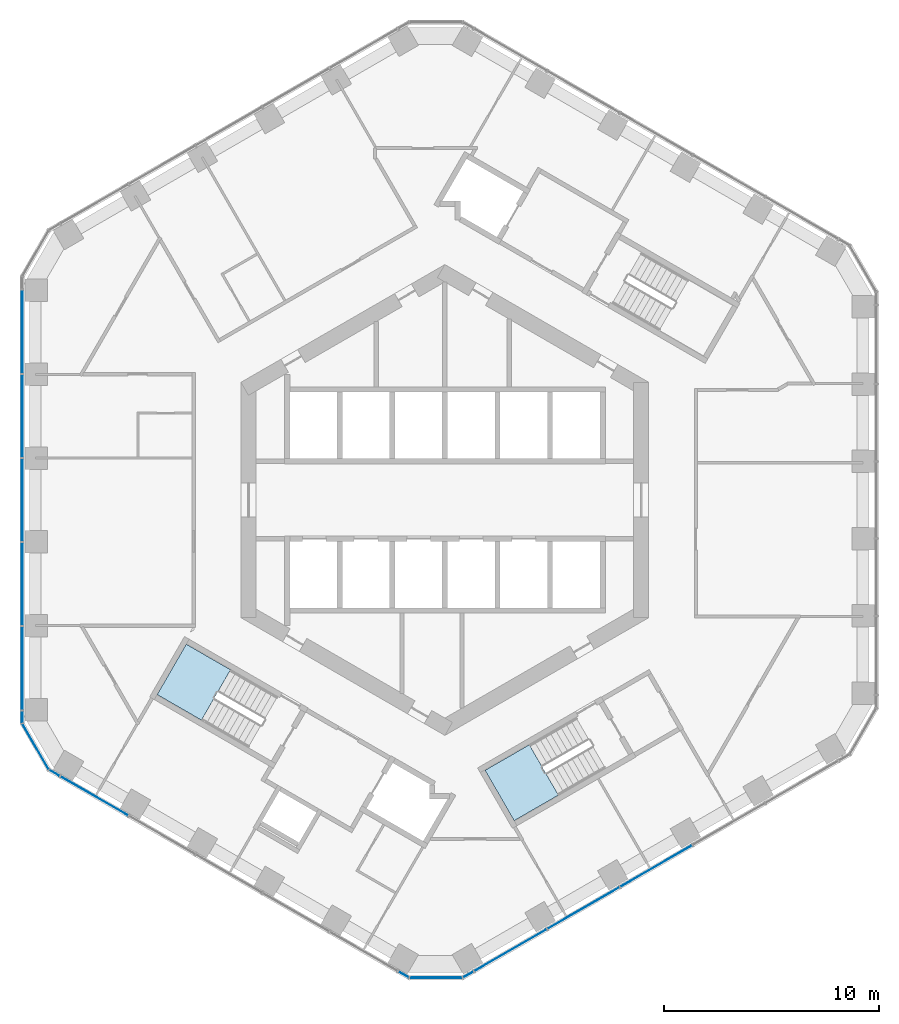
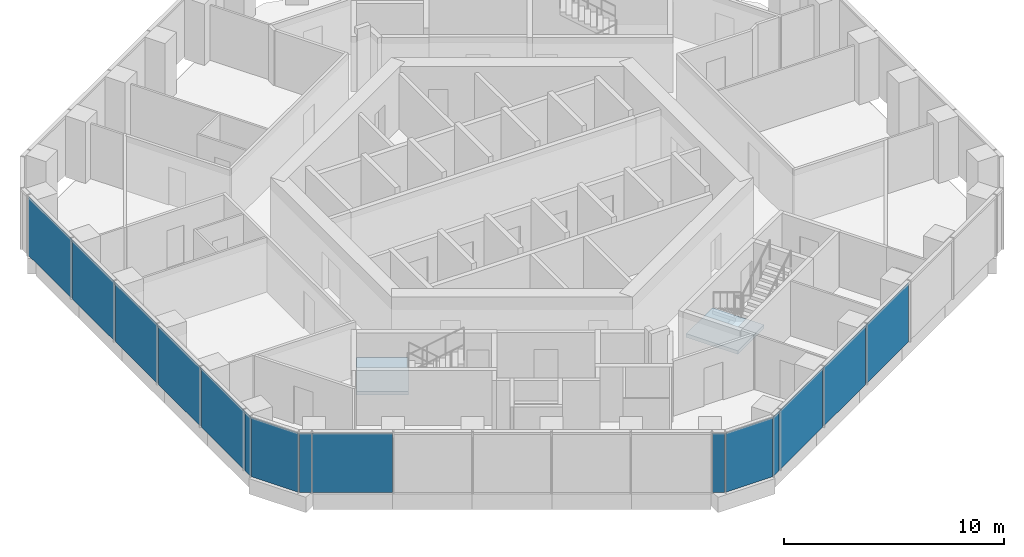
# One storey, part 9 of 19: 15 plates, 2 slabs, 7 elements without a shape of their own.
"""IFC4 building model written with IfcOpenShell, lengths in metres."""

import ifcopenshell
import ifcopenshell.guid

model = None  # the IFC model being written
_history = None  # IfcOwnerHistory: only IFC2X3 demands one
_inside = {}  # id of a spatial element -> (the spatial element, [elements in it])
_under = {}  # id of a project, library or spatial element -> (it, [spatial elements below it])
_declared = {}  # id of a project -> (the project, [libraries it declares])
_typed = {}  # id of a type object -> (the type object, [elements of that type])
_made_of = {}  # id of a material, layer set ... -> (it, [elements and type objects made of it])


def new_model(schema):
    """Start an empty IFC model of exactly this schema.

    Asked for "IFC4X3", IfcOpenShell would pick the latest addendum, in which some entities
    have other attributes; the version numbers below select the first issue.
    IFC2X3 requires an IfcOwnerHistory on every rooted entity: one is made here for all.
    """
    global model, _history
    if schema == "IFC4X3":
        model = ifcopenshell.file(schema_version=(4, 3, 0, 0))
    else:
        model = ifcopenshell.file(schema=schema)
    _inside.clear()
    _under.clear()
    _declared.clear()
    _typed.clear()
    _made_of.clear()
    _history = None
    if model.schema == "IFC2X3":
        org = make("IfcOrganization", Name="unknown")
        user = make(
            "IfcPersonAndOrganization",
            ThePerson=make("IfcPerson", FamilyName="unknown"),
            TheOrganization=org,
        )
        app = make(
            "IfcApplication",
            ApplicationDeveloper=org,
            Version="unknown",
            ApplicationFullName="unknown",
            ApplicationIdentifier="unknown",
        )
        _history = make(
            "IfcOwnerHistory",
            OwningUser=user,
            OwningApplication=app,
            ChangeAction="ADDED",
            CreationDate=0,
        )
    return model


def make(cls, **values):
    """One entity of the class cls with the attributes given. An attribute that is None is left unset."""
    return model.create_entity(
        cls, **{name: value for name, value in values.items() if value is not None}
    )


def rooted(cls, **values):
    """An entity with a GlobalId (a new one), such as an element, a storey or a relation."""
    return make(cls, GlobalId=ifcopenshell.guid.new(), OwnerHistory=_history, **values)


def si_unit(unit_type, name, prefix=None):
    """IfcSIUnit, for example si_unit("LENGTHUNIT", "METRE", prefix="MILLI")."""
    return make("IfcSIUnit", UnitType=unit_type, Prefix=prefix, Name=name)


def assignment(units):
    """IfcUnitAssignment: the units of a project."""
    return None if units is None else make("IfcUnitAssignment", Units=units)


def point(xyz):
    """IfcCartesianPoint."""
    return None if xyz is None else make("IfcCartesianPoint", Coordinates=xyz)


def direction(xyz):
    """IfcDirection."""
    return None if xyz is None else make("IfcDirection", DirectionRatios=xyz)


def frame(location, z_axis=None, x_axis=None):
    """IfcAxis2Placement3D, a coordinate frame: its origin and axes. An axis left out is left unset."""
    return make(
        "IfcAxis2Placement3D",
        Location=point(location),
        Axis=direction(z_axis),
        RefDirection=direction(x_axis),
    )


def frame_2d(location, x_axis=None):
    """IfcAxis2Placement2D, a coordinate frame in the plane: its origin and x axis."""
    return make(
        "IfcAxis2Placement2D", Location=point(location), RefDirection=direction(x_axis)
    )


def origin():
    """The frame at (0, 0, 0) with its axes left unset."""
    return frame((0.0, 0.0, 0.0))


def origin_2d():
    """The frame at (0, 0) in the plane with its x axis left unset."""
    return frame_2d((0.0, 0.0))


def place(relative_to, where):
    """IfcLocalPlacement: puts the frame where relative to a parent placement (None: the world)."""
    return make(
        "IfcLocalPlacement", PlacementRelTo=relative_to, RelativePlacement=where
    )


def context(
    kind, dimensions, precision=None, world=None, true_north=None, identifier=None
):
    """IfcGeometricRepresentationContext, for example the 3D "Model" context."""
    return make(
        "IfcGeometricRepresentationContext",
        ContextIdentifier=identifier,
        ContextType=kind,
        CoordinateSpaceDimension=dimensions,
        Precision=precision,
        WorldCoordinateSystem=world,
        TrueNorth=true_north,
    )


def subcontext(parent, identifier, kind, view, scale=None):
    """IfcGeometricRepresentationSubContext, for example "Body" below "Model"."""
    return make(
        "IfcGeometricRepresentationSubContext",
        ContextIdentifier=identifier,
        ContextType=kind,
        ParentContext=parent,
        TargetScale=scale,
        TargetView=view,
    )


def project(units=None, contexts=None):
    """IfcProject with its units and contexts."""
    return rooted(
        "IfcProject",
        Name="project",
        RepresentationContexts=contexts,
        UnitsInContext=assignment(units),
    )


def spatial(cls, under=None, at=None, **own):
    """A site, building, storey or space (cls), placed at a placement, below another one or the project."""
    s = rooted(cls, ObjectPlacement=at, **own)
    if under is not None:
        _under.setdefault(under.id(), (under, []))[1].append(s)
    return s


def polyline(points):
    """IfcPolyline through the points."""
    return make("IfcPolyline", Points=[point(p) for p in points])


def profile(cls, at=None, kind="AREA", **sizes):
    """A parametric profile (cls). Its sizes go by their IFC names, for example OverallWidth=200.0."""
    return make(cls, ProfileType=kind, Position=at, **sizes)


def rectangle(**sizes):
    """IfcRectangleProfileDef."""
    return profile("IfcRectangleProfileDef", **sizes)


def outline(outer, holes=None, kind="AREA"):
    """IfcArbitraryClosedProfileDef: a profile drawn as a closed curve; with holes, ...WithVoids."""
    if holes is None:
        return make("IfcArbitraryClosedProfileDef", ProfileType=kind, OuterCurve=outer)
    return make(
        "IfcArbitraryProfileDefWithVoids",
        ProfileType=kind,
        OuterCurve=outer,
        InnerCurves=holes,
    )


def extrude(swept, where, along, depth):
    """IfcExtrudedAreaSolid: the profile swept, set in the frame where, extruded along a direction by depth."""
    return make(
        "IfcExtrudedAreaSolid",
        SweptArea=swept,
        Position=where,
        ExtrudedDirection=direction(along),
        Depth=depth,
    )


def shape(context_of_items, identifier, shape_type, items):
    """IfcShapeRepresentation: the items that make up one representation, for example the "Body"."""
    return make(
        "IfcShapeRepresentation",
        ContextOfItems=context_of_items,
        RepresentationIdentifier=identifier,
        RepresentationType=shape_type,
        Items=items,
    )


def material(Name=None, Category=None):
    """IfcMaterial."""
    return make("IfcMaterial", Name=Name, Category=Category)


def layer(
    of_material, thickness, ventilated=None, Name=None, Category=None, Priority=None
):
    """IfcMaterialLayer: one layer of a wall or slab, of a material (None: an air gap)."""
    return make(
        "IfcMaterialLayer",
        Material=of_material,
        LayerThickness=thickness,
        IsVentilated=ventilated,
        Name=Name,
        Category=Category,
        Priority=Priority,
    )


def layer_set(layers, Name=None):
    """IfcMaterialLayerSet."""
    return make("IfcMaterialLayerSet", MaterialLayers=layers, LayerSetName=Name)


def made_of(thing, what):
    """Note that an element or type object is made of a material, layer set ...; save() writes the relation."""
    if what is not None:
        _made_of.setdefault(what.id(), (what, []))[1].append(thing)
    return thing


def type_object(cls, material=None, **own):
    """A type object (cls), such as IfcWallType, which elements share."""
    return made_of(rooted(cls, **own), material)


def element(
    cls,
    number,
    at=None,
    inside=None,
    cuts=None,
    type_object=None,
    material=None,
    context=None,
    identifier="Body",
    shape_type=None,
    held_by="IfcProductDefinitionShape",
    body=None,
    shapes=None,
    **own,
):
    """One element of the class cls, such as IfcWall. Its Tag is "e" and its number.

    at: its placement. inside: the storey or other place that contains it. cuts: it is an
    opening in that element (IfcRelVoidsElement). A single representation is given by context,
    identifier, shape_type and body (its items); several are given by shapes. held_by: the class
    of the entity that holds the representations. save() writes the other relations.
    """
    e = rooted(cls, Tag="e%d" % number, ObjectPlacement=at, **own)
    if body is not None:
        shapes = [shape(context, identifier, shape_type, body)]
    if shapes is not None:
        e.Representation = make(held_by, Representations=shapes)
    if inside is not None:
        _inside.setdefault(inside.id(), (inside, []))[1].append(e)
    if cuts is not None:
        rooted(
            "IfcRelVoidsElement", RelatingBuildingElement=cuts, RelatedOpeningElement=e
        )
    if type_object is not None:
        _typed.setdefault(type_object.id(), (type_object, []))[1].append(e)
    return made_of(e, material)


def aggregate(whole, parts):
    """IfcRelAggregates: a whole, such as a stair, and the parts it consists of."""
    return rooted("IfcRelAggregates", RelatingObject=whole, RelatedObjects=parts)


def save(model, path):
    """Write the relations noted so far, then the file.

    IfcRelAggregates (storeys below a building ...), IfcRelContainedInSpatialStructure (elements
    in a storey), IfcRelDefinesByType, IfcRelAssociatesMaterial and IfcRelDeclares: one each for
    every whole, place, type object, material and project.
    """
    for whole, parts in _under.values():
        aggregate(whole, parts)
    for where, things in _inside.values():
        rooted(
            "IfcRelContainedInSpatialStructure",
            RelatedElements=things,
            RelatingStructure=where,
        )
    for kind, things in _typed.values():
        rooted("IfcRelDefinesByType", RelatedObjects=things, RelatingType=kind)
    for what, things in _made_of.values():
        rooted("IfcRelAssociatesMaterial", RelatedObjects=things, RelatingMaterial=what)
    for by, libraries in _declared.values():
        rooted("IfcRelDeclares", RelatingContext=by, RelatedDefinitions=libraries)
    model.write(path)


model = new_model("IFC4")

# Units and contexts
model_context = context("Model", 3, precision=1e-05, world=origin(), true_north=direction((0.0, 1.0)))
body_context = subcontext(model_context, "Body", "Model", "MODEL_VIEW")
ifc_project = project(units=[si_unit("LENGTHUNIT", "METRE"), si_unit("AREAUNIT", "SQUARE_METRE"), si_unit("VOLUMEUNIT", "CUBIC_METRE"), si_unit("PLANEANGLEUNIT", "RADIAN"), si_unit("MASSUNIT", "GRAM", prefix="KILO")], contexts=[model_context])

# Site, building, storey
site_placement = place(None, origin())
site = spatial("IfcSite", under=ifc_project, at=site_placement, CompositionType="ELEMENT")
building_placement = place(site_placement, origin())
building = spatial("IfcBuilding", under=site, at=building_placement, Name="Ayvan Gate Tower", CompositionType="ELEMENT")
storey_placement = place(building_placement, frame((0.0, 0.0, 106.89990234375)))
storey = spatial("IfcBuildingStorey", under=building, at=storey_placement, Name="L28", CompositionType="ELEMENT", Elevation=106.89990234375)

# Stair, slab
ifc_material_1 = material(Name="Concrete C40/50", Category="concrete")
stair_type = type_object("IfcStairType", Name="ST-EXIT", PredefinedType="HALF_TURN_STAIR", material=ifc_material_1)
stair_1_placement = place(storey_placement, origin())
stair_1 = element("IfcStair", 1, at=stair_1_placement, inside=storey, type_object=stair_type, Name="L28 Exit Stair S2", PredefinedType="HALF_TURN_STAIR")
ifc_layer_1 = layer(ifc_material_1, 0.199951171875)
ifc_layer_set_1 = layer_set([ifc_layer_1], Name="Concrete C40/50")
slab_type = type_object("IfcSlabType", Name="SL-LANDING-200", PredefinedType="LANDING", material=ifc_layer_set_1)
slab_1_placement = place(storey_placement, frame((0.0, 0.0, 1.5)))
slab_1 = element("IfcSlab", 2, at=slab_1_placement, type_object=slab_type, Name="STS2 landing 1", PredefinedType="LANDING", context=body_context, shape_type="SweptSolid", body=[
    extrude(outline(polyline([(-9.988525390625, -7.91064453125), (-12.049560546875, -6.720458984375), (-13.404541015625, -9.0673828125), (-11.343505859375, -10.257568359375), (-9.988525390625, -7.91064453125)])), origin(), (0.0, 0.0, 1.0), 0.2001953125),
])
aggregate(stair_1, [slab_1])

stair_2_placement = place(storey_placement, origin())
stair_2 = element("IfcStair", 3, at=stair_2_placement, inside=storey, type_object=stair_type, Name="L28 Exit Stair S3", PredefinedType="HALF_TURN_STAIR")
slab_2_placement = place(storey_placement, frame((0.0, 0.0, 1.5)))
slab_2 = element("IfcSlab", 4, at=slab_2_placement, type_object=slab_type, Name="STS3 landing 1", PredefinedType="LANDING", context=body_context, shape_type="SweptSolid", body=[
    extrude(outline(polyline([(3.93505859375, -11.405517578125), (1.873779296875, -12.595458984375), (3.228759765625, -14.9423828125), (5.2900390625, -13.75244140625), (3.93505859375, -11.405517578125)])), origin(), (0.0, 0.0, 1.0), 0.2001953125),
])
aggregate(stair_2, [slab_2])

# Curtain wall, plates
ifc_material_2 = material(Name="Bronze anodised aluminium", Category="aluminium")
ifc_layer_2 = layer(ifc_material_2, 0.199951171875)
ifc_layer_set_2 = layer_set([ifc_layer_2], Name="Bronze anodised aluminium")
curtain_wall_type_1 = type_object("IfcCurtainWallType", Name="Stick curtain wall CW-1", PredefinedType="NOTDEFINED", material=ifc_layer_set_2)
curtain_wall_1_placement = place(storey_placement, origin())
curtain_wall_1 = element("IfcCurtainWall", 5, at=curtain_wall_1_placement, inside=storey, type_object=curtain_wall_type_1, Name="Stick curtain wall CW-1 L28", PredefinedType="NOTDEFINED")
ifc_material_3 = material(Name="Clear low-iron laminated glass", Category="glass")
ifc_layer_3 = layer(ifc_material_3, 0.028076171875)
ifc_layer_set_3 = layer_set([ifc_layer_3], Name="Clear low-iron laminated glass")
plate_type_1 = type_object("IfcPlateType", Name="Stick curtain wall CW-1 glass panel", PredefinedType="CURTAIN_PANEL", material=ifc_layer_set_3)
plate_1_placement = place(storey_placement, frame((-19.695068359375, 7.8525390625, 0.0), z_axis=(0.0, 0.0, 1.0), x_axis=(0.0, -1.0, 0.0)))
plate_1 = element("IfcPlate", 6, at=plate_1_placement, type_object=plate_type_1, Name="CW-1 glass panel 1", PredefinedType="CURTAIN_PANEL", context=body_context, shape_type="SweptSolid", body=[
    extrude(rectangle(XDim=3.9150390625, YDim=0.028076171875, at=origin_2d()), origin(), (0.0, 0.0, 1.0), 3.280029296875),
])
plate_2_placement = place(storey_placement, frame((-19.695068359375, 3.91015625, 0.0), z_axis=(0.0, 0.0, 1.0), x_axis=(0.0, -1.0, 0.0)))
plate_2 = element("IfcPlate", 7, at=plate_2_placement, type_object=plate_type_1, Name="CW-1 glass panel 2", PredefinedType="CURTAIN_PANEL", context=body_context, shape_type="SweptSolid", body=[
    extrude(rectangle(XDim=3.85009765625, YDim=0.028076171875, at=origin_2d()), origin(), (0.0, 0.0, 1.0), 3.280029296875),
])
plate_3_placement = place(storey_placement, frame((-19.695068359375, 0.0, 0.0), z_axis=(0.0, 0.0, 1.0), x_axis=(0.0, -1.0, 0.0)))
plate_3 = element("IfcPlate", 8, at=plate_3_placement, type_object=plate_type_1, Name="CW-1 glass panel 3", PredefinedType="CURTAIN_PANEL", context=body_context, shape_type="SweptSolid", body=[
    extrude(rectangle(XDim=3.85009765625, YDim=0.028076171875, at=origin_2d()), origin(), (0.0, 0.0, 1.0), 3.280029296875),
])
plate_4_placement = place(storey_placement, frame((-19.695068359375, -3.909912109375, 0.0), z_axis=(0.0, 0.0, 1.0), x_axis=(0.0, -1.0, 0.0)))
plate_4 = element("IfcPlate", 9, at=plate_4_placement, type_object=plate_type_1, Name="CW-1 glass panel 4", PredefinedType="CURTAIN_PANEL", context=body_context, shape_type="SweptSolid", body=[
    extrude(rectangle(XDim=3.85009765625, YDim=0.028076171875, at=origin_2d()), origin(), (0.0, 0.0, 1.0), 3.280029296875),
])
plate_5_placement = place(storey_placement, frame((-19.695068359375, -7.8525390625, 0.0), z_axis=(0.0, 0.0, 1.0), x_axis=(0.0, -1.0, 0.0)))
plate_5 = element("IfcPlate", 10, at=plate_5_placement, type_object=plate_type_1, Name="CW-1 glass panel 5", PredefinedType="CURTAIN_PANEL", context=body_context, shape_type="SweptSolid", body=[
    extrude(rectangle(XDim=3.915283203125, YDim=0.028076171875, at=origin_2d()), origin(), (0.0, 0.0, 1.0), 3.280029296875),
])
aggregate(curtain_wall_1, [plate_1, plate_2, plate_3, plate_4, plate_5])

# Curtain wall, plate
curtain_wall_2_placement = place(storey_placement, origin())
curtain_wall_2 = element("IfcCurtainWall", 11, at=curtain_wall_2_placement, inside=storey, type_object=curtain_wall_type_1, Name="Stick curtain wall CW-1 L28", PredefinedType="NOTDEFINED")
plate_6_placement = place(storey_placement, frame((-16.343994140625, -13.785400390625, 0.0), z_axis=(0.0, 0.0, 1.0), x_axis=(0.866025403784, -0.5, 0.0)))
plate_6 = element("IfcPlate", 12, at=plate_6_placement, type_object=plate_type_1, Name="CW-1 glass panel 1", PredefinedType="CURTAIN_PANEL", context=body_context, shape_type="SweptSolid", body=[
    extrude(rectangle(XDim=3.657958984375, YDim=0.028076171875, at=origin_2d()), origin(), (0.0, 0.0, 1.0), 3.280029296875),
])
aggregate(curtain_wall_2, [plate_6])

# Curtain wall, plates
curtain_wall_3_placement = place(storey_placement, origin())
curtain_wall_3 = element("IfcCurtainWall", 13, at=curtain_wall_3_placement, inside=storey, type_object=curtain_wall_type_1, Name="Stick curtain wall CW-1 L28", PredefinedType="NOTDEFINED")
plate_7_placement = place(storey_placement, frame((3.047119140625, -20.982666015625, 0.0), z_axis=(0.0, 0.0, 1.0), x_axis=(0.866025403784, 0.5, 0.0)))
plate_7 = element("IfcPlate", 14, at=plate_7_placement, type_object=plate_type_1, Name="CW-1 glass panel 1", PredefinedType="CURTAIN_PANEL", context=body_context, shape_type="SweptSolid", body=[
    extrude(rectangle(XDim=3.9150390625, YDim=0.028076171875, at=origin_2d()), origin(), (0.0, 0.0, 1.0), 3.280029296875),
])
plate_8_placement = place(storey_placement, frame((6.46142578125, -19.011474609375, 0.0), z_axis=(0.0, 0.0, 1.0), x_axis=(0.866025403784, 0.5, 0.0)))
plate_8 = element("IfcPlate", 15, at=plate_8_placement, type_object=plate_type_1, Name="CW-1 glass panel 2", PredefinedType="CURTAIN_PANEL", context=body_context, shape_type="SweptSolid", body=[
    extrude(rectangle(XDim=3.85009765625, YDim=0.028076171875, at=origin_2d()), origin(), (0.0, 0.0, 1.0), 3.280029296875),
])
plate_9_placement = place(storey_placement, frame((9.847412109375, -17.056640625, 0.0), z_axis=(0.0, 0.0, 1.0), x_axis=(0.866025403784, 0.5, 0.0)))
plate_9 = element("IfcPlate", 16, at=plate_9_placement, type_object=plate_type_1, Name="CW-1 glass panel 3", PredefinedType="CURTAIN_PANEL", context=body_context, shape_type="SweptSolid", body=[
    extrude(rectangle(XDim=3.85009765625, YDim=0.028076171875, at=origin_2d()), origin(), (0.0, 0.0, 1.0), 3.280029296875),
])
aggregate(curtain_wall_3, [plate_7, plate_8, plate_9])

ifc_layer_4 = layer(ifc_material_2, 0.199951171875)
ifc_layer_set_4 = layer_set([ifc_layer_4], Name="Bronze anodised aluminium")
curtain_wall_type_2 = type_object("IfcCurtainWallType", Name="Stick curtain wall CW-6", PredefinedType="NOTDEFINED", material=ifc_layer_set_4)
curtain_wall_4_placement = place(storey_placement, origin())
curtain_wall_4 = element("IfcCurtainWall", 17, at=curtain_wall_4_placement, inside=storey, type_object=curtain_wall_type_2, Name="Stick curtain wall CW-6 L28", PredefinedType="NOTDEFINED")
ifc_layer_5 = layer(ifc_material_3, 0.028076171875)
ifc_layer_set_5 = layer_set([ifc_layer_5], Name="Clear low-iron laminated glass")
plate_type_2 = type_object("IfcPlateType", Name="Stick curtain wall CW-6 glass panel", PredefinedType="CURTAIN_PANEL", material=ifc_layer_set_5)
plate_10_placement = place(storey_placement, frame((-19.695068359375, -10.114990234375, 0.0), z_axis=(0.0, 0.0, 1.0), x_axis=(0.0, -1.0, 0.0)))
plate_10 = element("IfcPlate", 18, at=plate_10_placement, type_object=plate_type_2, Name="CW-6 glass panel 1", PredefinedType="CURTAIN_PANEL", context=body_context, shape_type="SweptSolid", body=[
    extrude(rectangle(XDim=0.550048828125, YDim=0.028076171875, at=origin_2d()), origin(), (0.0, 0.0, 1.0), 3.280029296875),
])
plate_11_placement = place(storey_placement, frame((-19.073486328125, -11.49169921875, 0.0), z_axis=(0.0, 0.0, 1.0), x_axis=(0.5, -0.866025403784, 0.0)))
plate_11 = element("IfcPlate", 19, at=plate_11_placement, type_object=plate_type_2, Name="CW-6 glass panel 2", PredefinedType="CURTAIN_PANEL", context=body_context, shape_type="SweptSolid", body=[
    extrude(rectangle(XDim=2.4365234375, YDim=0.028076171875, at=origin_2d()), origin(), (0.0, 0.0, 1.0), 3.280029296875),
])
plate_12_placement = place(storey_placement, frame((-18.192138671875, -12.718505859375, 0.0), z_axis=(0.0, 0.0, 1.0), x_axis=(0.866025403784, -0.5, 0.0)))
plate_12 = element("IfcPlate", 20, at=plate_12_placement, type_object=plate_type_2, Name="CW-6 glass panel 3", PredefinedType="CURTAIN_PANEL", context=body_context, shape_type="SweptSolid", body=[
    extrude(rectangle(XDim=0.550048828125, YDim=0.028076171875, at=origin_2d()), origin(), (0.0, 0.0, 1.0), 3.280029296875),
])
aggregate(curtain_wall_4, [plate_10, plate_11, plate_12])

curtain_wall_5_placement = place(storey_placement, origin())
curtain_wall_5 = element("IfcCurtainWall", 21, at=curtain_wall_5_placement, inside=storey, type_object=curtain_wall_type_2, Name="Stick curtain wall CW-6 L28", PredefinedType="NOTDEFINED")
plate_13_placement = place(storey_placement, frame((-1.91845703125, -22.114013671875, 0.0), z_axis=(0.0, 0.0, 1.0), x_axis=(0.866025403784, -0.5, 0.0)))
plate_13 = element("IfcPlate", 22, at=plate_13_placement, type_object=plate_type_2, Name="CW-6 glass panel 1", PredefinedType="CURTAIN_PANEL", context=body_context, shape_type="SweptSolid", body=[
    extrude(rectangle(XDim=0.550048828125, YDim=0.028076171875, at=origin_2d()), origin(), (0.0, 0.0, 1.0), 3.280029296875),
])
plate_14_placement = place(storey_placement, frame((-0.41552734375, -22.263916015625, 0.0), z_axis=(0.0, 0.0, 1.0), x_axis=(1.0, 0.0, 0.0)))
plate_14 = element("IfcPlate", 23, at=plate_14_placement, type_object=plate_type_2, Name="CW-6 glass panel 2", PredefinedType="CURTAIN_PANEL", context=body_context, shape_type="SweptSolid", body=[
    extrude(rectangle(XDim=2.4365234375, YDim=0.028076171875, at=origin_2d()), origin(), (0.0, 0.0, 1.0), 3.280029296875),
])
plate_15_placement = place(storey_placement, frame((1.087646484375, -22.114013671875, 0.0), z_axis=(0.0, 0.0, 1.0), x_axis=(0.866025403784, 0.5, 0.0)))
plate_15 = element("IfcPlate", 24, at=plate_15_placement, type_object=plate_type_2, Name="CW-6 glass panel 3", PredefinedType="CURTAIN_PANEL", context=body_context, shape_type="SweptSolid", body=[
    extrude(rectangle(XDim=0.550048828125, YDim=0.028076171875, at=origin_2d()), origin(), (0.0, 0.0, 1.0), 3.280029296875),
])
aggregate(curtain_wall_5, [plate_13, plate_14, plate_15])

save(model, "model.ifc")
